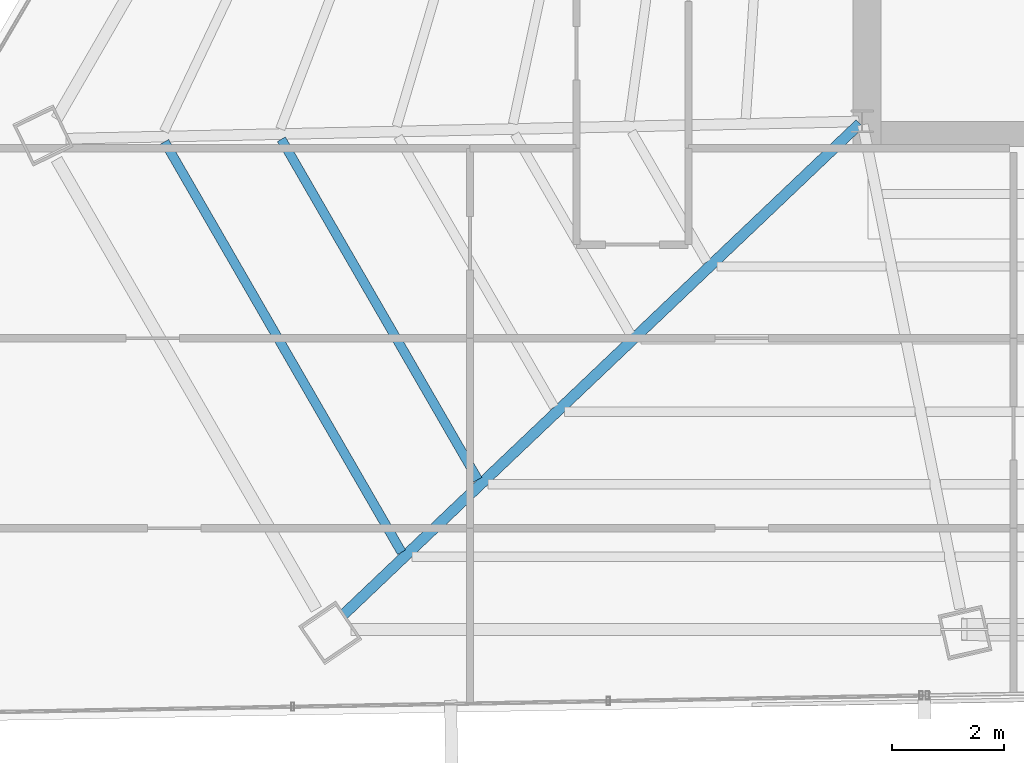
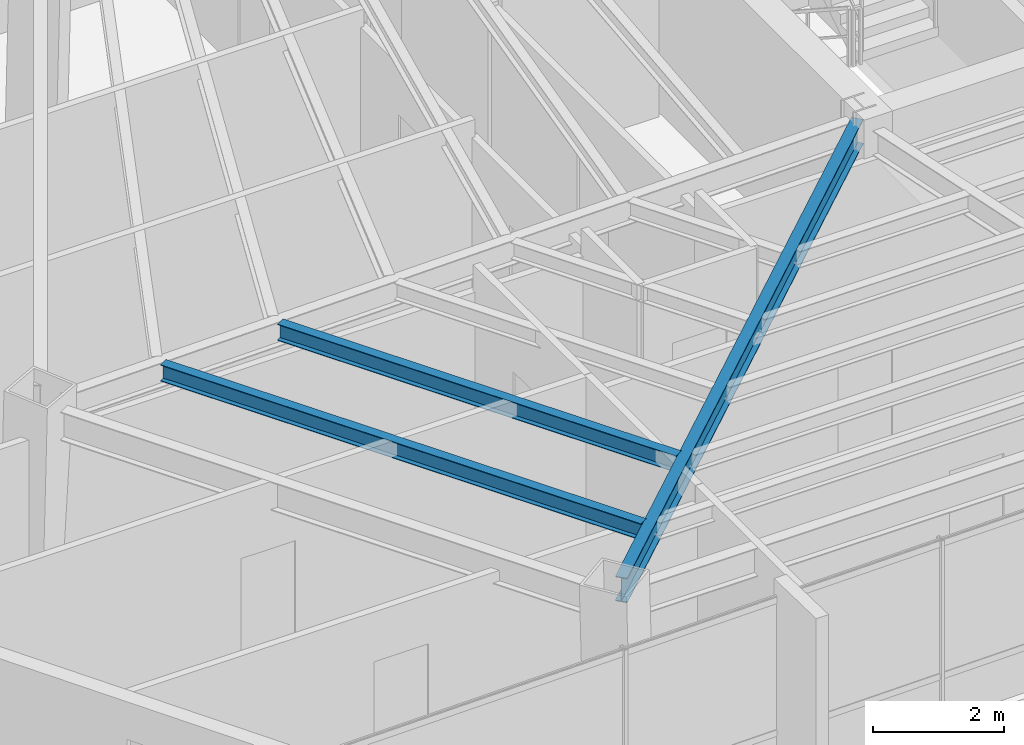
# One storey, part 6 of 42: 3 beams.
"""IFC4 building model written with IfcOpenShell, lengths in metres."""

import ifcopenshell
import ifcopenshell.guid

model = None  # the IFC model being written
_history = None  # IfcOwnerHistory: only IFC2X3 demands one
_inside = {}  # id of a spatial element -> (the spatial element, [elements in it])
_under = {}  # id of a project, library or spatial element -> (it, [spatial elements below it])
_declared = {}  # id of a project -> (the project, [libraries it declares])
_typed = {}  # id of a type object -> (the type object, [elements of that type])
_made_of = {}  # id of a material, layer set ... -> (it, [elements and type objects made of it])


def new_model(schema):
    """Start an empty IFC model of exactly this schema.

    Asked for "IFC4X3", IfcOpenShell would pick the latest addendum, in which some entities
    have other attributes; the version numbers below select the first issue.
    IFC2X3 requires an IfcOwnerHistory on every rooted entity: one is made here for all.
    """
    global model, _history
    if schema == "IFC4X3":
        model = ifcopenshell.file(schema_version=(4, 3, 0, 0))
    else:
        model = ifcopenshell.file(schema=schema)
    _inside.clear()
    _under.clear()
    _declared.clear()
    _typed.clear()
    _made_of.clear()
    _history = None
    if model.schema == "IFC2X3":
        org = make("IfcOrganization", Name="unknown")
        user = make(
            "IfcPersonAndOrganization",
            ThePerson=make("IfcPerson", FamilyName="unknown"),
            TheOrganization=org,
        )
        app = make(
            "IfcApplication",
            ApplicationDeveloper=org,
            Version="unknown",
            ApplicationFullName="unknown",
            ApplicationIdentifier="unknown",
        )
        _history = make(
            "IfcOwnerHistory",
            OwningUser=user,
            OwningApplication=app,
            ChangeAction="ADDED",
            CreationDate=0,
        )
    return model


def make(cls, **values):
    """One entity of the class cls with the attributes given. An attribute that is None is left unset."""
    return model.create_entity(
        cls, **{name: value for name, value in values.items() if value is not None}
    )


def rooted(cls, **values):
    """An entity with a GlobalId (a new one), such as an element, a storey or a relation."""
    return make(cls, GlobalId=ifcopenshell.guid.new(), OwnerHistory=_history, **values)


def si_unit(unit_type, name, prefix=None):
    """IfcSIUnit, for example si_unit("LENGTHUNIT", "METRE", prefix="MILLI")."""
    return make("IfcSIUnit", UnitType=unit_type, Prefix=prefix, Name=name)


def assignment(units):
    """IfcUnitAssignment: the units of a project."""
    return None if units is None else make("IfcUnitAssignment", Units=units)


def point(xyz):
    """IfcCartesianPoint."""
    return None if xyz is None else make("IfcCartesianPoint", Coordinates=xyz)


def direction(xyz):
    """IfcDirection."""
    return None if xyz is None else make("IfcDirection", DirectionRatios=xyz)


def frame(location, z_axis=None, x_axis=None):
    """IfcAxis2Placement3D, a coordinate frame: its origin and axes. An axis left out is left unset."""
    return make(
        "IfcAxis2Placement3D",
        Location=point(location),
        Axis=direction(z_axis),
        RefDirection=direction(x_axis),
    )


def frame_2d(location, x_axis=None):
    """IfcAxis2Placement2D, a coordinate frame in the plane: its origin and x axis."""
    return make(
        "IfcAxis2Placement2D", Location=point(location), RefDirection=direction(x_axis)
    )


def origin():
    """The frame at (0, 0, 0) with its axes left unset."""
    return frame((0.0, 0.0, 0.0))


def origin_2d():
    """The frame at (0, 0) in the plane with its x axis left unset."""
    return frame_2d((0.0, 0.0))


def place(relative_to, where):
    """IfcLocalPlacement: puts the frame where relative to a parent placement (None: the world)."""
    return make(
        "IfcLocalPlacement", PlacementRelTo=relative_to, RelativePlacement=where
    )


def context(
    kind, dimensions, precision=None, world=None, true_north=None, identifier=None
):
    """IfcGeometricRepresentationContext, for example the 3D "Model" context."""
    return make(
        "IfcGeometricRepresentationContext",
        ContextIdentifier=identifier,
        ContextType=kind,
        CoordinateSpaceDimension=dimensions,
        Precision=precision,
        WorldCoordinateSystem=world,
        TrueNorth=true_north,
    )


def subcontext(parent, identifier, kind, view, scale=None):
    """IfcGeometricRepresentationSubContext, for example "Body" below "Model"."""
    return make(
        "IfcGeometricRepresentationSubContext",
        ContextIdentifier=identifier,
        ContextType=kind,
        ParentContext=parent,
        TargetScale=scale,
        TargetView=view,
    )


def project(units=None, contexts=None):
    """IfcProject with its units and contexts."""
    return rooted(
        "IfcProject",
        Name="project",
        RepresentationContexts=contexts,
        UnitsInContext=assignment(units),
    )


def spatial(cls, under=None, at=None, **own):
    """A site, building, storey or space (cls), placed at a placement, below another one or the project."""
    s = rooted(cls, ObjectPlacement=at, **own)
    if under is not None:
        _under.setdefault(under.id(), (under, []))[1].append(s)
    return s


def profile(cls, at=None, kind="AREA", **sizes):
    """A parametric profile (cls). Its sizes go by their IFC names, for example OverallWidth=200.0."""
    return make(cls, ProfileType=kind, Position=at, **sizes)


def i_section(**sizes):
    """IfcIShapeProfileDef."""
    return profile("IfcIShapeProfileDef", **sizes)


def extrude(swept, where, along, depth):
    """IfcExtrudedAreaSolid: the profile swept, set in the frame where, extruded along a direction by depth."""
    return make(
        "IfcExtrudedAreaSolid",
        SweptArea=swept,
        Position=where,
        ExtrudedDirection=direction(along),
        Depth=depth,
    )


def shape(context_of_items, identifier, shape_type, items):
    """IfcShapeRepresentation: the items that make up one representation, for example the "Body"."""
    return make(
        "IfcShapeRepresentation",
        ContextOfItems=context_of_items,
        RepresentationIdentifier=identifier,
        RepresentationType=shape_type,
        Items=items,
    )


def source(mapping_origin, context_of_items, identifier, shape_type, items):
    """IfcRepresentationMap: a shape defined once, which mapped items show again and again."""
    return make(
        "IfcRepresentationMap",
        MappingOrigin=mapping_origin,
        MappedRepresentation=shape(context_of_items, identifier, shape_type, items),
    )


def transform(
    local_origin,
    x_axis=None,
    y_axis=None,
    z_axis=None,
    scale=None,
    scale2=None,
    scale3=None,
    uniform=True,
):
    """IfcCartesianTransformationOperator3D, or its non-uniform kind. x_axis, y_axis, z_axis: its Axis1, 2, 3."""
    if uniform:
        return make(
            "IfcCartesianTransformationOperator3D",
            Axis1=direction(x_axis),
            Axis2=direction(y_axis),
            LocalOrigin=point(local_origin),
            Scale=scale,
            Axis3=direction(z_axis),
        )
    return make(
        "IfcCartesianTransformationOperator3DnonUniform",
        Axis1=direction(x_axis),
        Axis2=direction(y_axis),
        LocalOrigin=point(local_origin),
        Scale=scale,
        Axis3=direction(z_axis),
        Scale2=scale2,
        Scale3=scale3,
    )


def mapped(mapping_source, mapping_target):
    """IfcMappedItem: shows the shape of a source again, moved by a transform."""
    return make(
        "IfcMappedItem", MappingSource=mapping_source, MappingTarget=mapping_target
    )


def material(Name=None, Category=None):
    """IfcMaterial."""
    return make("IfcMaterial", Name=Name, Category=Category)


def material_profile(
    of_material, cross_section, Name=None, Category=None, Priority=None
):
    """IfcMaterialProfile: a cross section and its material."""
    return make(
        "IfcMaterialProfile",
        Name=Name,
        Material=of_material,
        Profile=cross_section,
        Priority=Priority,
        Category=Category,
    )


def profile_set(profiles, Name=None, composite=None):
    """IfcMaterialProfileSet."""
    return make(
        "IfcMaterialProfileSet",
        Name=Name,
        MaterialProfiles=profiles,
        CompositeProfile=composite,
    )


def made_of(thing, what):
    """Note that an element or type object is made of a material, layer set ...; save() writes the relation."""
    if what is not None:
        _made_of.setdefault(what.id(), (what, []))[1].append(thing)
    return thing


def type_object(cls, material=None, **own):
    """A type object (cls), such as IfcWallType, which elements share."""
    return made_of(rooted(cls, **own), material)


def type_shapes(of_type, sources):
    """Give a type object the sources (RepresentationMaps) that its elements show as mapped items."""
    of_type.RepresentationMaps = sources


def element(
    cls,
    number,
    at=None,
    inside=None,
    cuts=None,
    type_object=None,
    material=None,
    context=None,
    identifier="Body",
    shape_type=None,
    held_by="IfcProductDefinitionShape",
    body=None,
    shapes=None,
    **own,
):
    """One element of the class cls, such as IfcWall. Its Tag is "e" and its number.

    at: its placement. inside: the storey or other place that contains it. cuts: it is an
    opening in that element (IfcRelVoidsElement). A single representation is given by context,
    identifier, shape_type and body (its items); several are given by shapes. held_by: the class
    of the entity that holds the representations. save() writes the other relations.
    """
    e = rooted(cls, Tag="e%d" % number, ObjectPlacement=at, **own)
    if body is not None:
        shapes = [shape(context, identifier, shape_type, body)]
    if shapes is not None:
        e.Representation = make(held_by, Representations=shapes)
    if inside is not None:
        _inside.setdefault(inside.id(), (inside, []))[1].append(e)
    if cuts is not None:
        rooted(
            "IfcRelVoidsElement", RelatingBuildingElement=cuts, RelatedOpeningElement=e
        )
    if type_object is not None:
        _typed.setdefault(type_object.id(), (type_object, []))[1].append(e)
    return made_of(e, material)


def aggregate(whole, parts):
    """IfcRelAggregates: a whole, such as a stair, and the parts it consists of."""
    return rooted("IfcRelAggregates", RelatingObject=whole, RelatedObjects=parts)


def save(model, path):
    """Write the relations noted so far, then the file.

    IfcRelAggregates (storeys below a building ...), IfcRelContainedInSpatialStructure (elements
    in a storey), IfcRelDefinesByType, IfcRelAssociatesMaterial and IfcRelDeclares: one each for
    every whole, place, type object, material and project.
    """
    for whole, parts in _under.values():
        aggregate(whole, parts)
    for where, things in _inside.values():
        rooted(
            "IfcRelContainedInSpatialStructure",
            RelatedElements=things,
            RelatingStructure=where,
        )
    for kind, things in _typed.values():
        rooted("IfcRelDefinesByType", RelatedObjects=things, RelatingType=kind)
    for what, things in _made_of.values():
        rooted("IfcRelAssociatesMaterial", RelatedObjects=things, RelatingMaterial=what)
    for by, libraries in _declared.values():
        rooted("IfcRelDeclares", RelatingContext=by, RelatedDefinitions=libraries)
    model.write(path)


model = new_model("IFC4")

# Units and contexts
model_context = context("Model", 3, precision=1e-05, world=origin(), true_north=direction((0.0, 1.0)))
body_context = subcontext(model_context, "Body", "Model", "MODEL_VIEW")
ifc_project = project(units=[si_unit("LENGTHUNIT", "METRE"), si_unit("AREAUNIT", "SQUARE_METRE"), si_unit("VOLUMEUNIT", "CUBIC_METRE"), si_unit("PLANEANGLEUNIT", "RADIAN"), si_unit("MASSUNIT", "GRAM", prefix="KILO")], contexts=[model_context])

# Site, building, storey
site_placement = place(None, origin())
site = spatial("IfcSite", under=ifc_project, at=site_placement, CompositionType="ELEMENT")
building_placement = place(site_placement, origin())
building = spatial("IfcBuilding", under=site, at=building_placement, Name="Caelisora Broadcast Tower", CompositionType="ELEMENT")
storey_placement = place(building_placement, frame((0.0, 0.0, 202.300048828125)))
storey = spatial("IfcBuildingStorey", under=building, at=storey_placement, Name="L53", CompositionType="ELEMENT", Elevation=202.300048828125)

# Beams
ifc_material = material(Name="Steel Grade 350 (AS/NZS 3679.1)", Category="steel")
ifc_material_profile_1 = material_profile(ifc_material, i_section(OverallWidth=0.19091796875, OverallDepth=0.46044921875, WebThickness=0.010009765625, FlangeThickness=0.01611328125, at=origin_2d()), Name="Steel Grade 350 (AS/NZS 3679.1)")
ifc_profile_set_1 = profile_set([ifc_material_profile_1], Name="Steel Grade 350 (AS/NZS 3679.1)")
beam_type_1 = type_object("IfcBeamType", Name="PG06", PredefinedType="BEAM", material=ifc_profile_set_1)
shared_shape_1 = source(origin(), body_context, "Body", "SweptSolid", [
    extrude(i_section(OverallWidth=0.19091796875, OverallDepth=0.46044921875, WebThickness=0.010009765625, FlangeThickness=0.01611328125, at=origin_2d()), origin(), (0.0, 0.0, 1.0), 12.7216796875),
])
type_shapes(beam_type_1, [shared_shape_1])
beam_1_placement = place(storey_placement, frame((30.45654296875, 17.358642578125, 3.169677734375), z_axis=(-0.724635660467, -0.689132178598, 0.0), x_axis=(0.689132178598, -0.724635660467, 0.0)))
element("IfcBeam", 1, at=beam_1_placement, inside=storey, type_object=beam_type_1, Name="L53 beam PG06", PredefinedType="BEAM", context=body_context, shape_type="MappedRepresentation", body=[
    mapped(shared_shape_1, transform((0.0, 0.0, 0.0), scale=1.0)),
])
ifc_material_profile_2 = material_profile(ifc_material, i_section(OverallWidth=0.166015625, OverallDepth=0.30712890625, WebThickness=0.006591796875, FlangeThickness=0.01171875, at=origin_2d()), Name="Steel Grade 350 (AS/NZS 3679.1)")
ifc_profile_set_2 = profile_set([ifc_material_profile_2], Name="Steel Grade 350 (AS/NZS 3679.1)")
beam_type_2 = type_object("IfcBeamType", Name="SB03", PredefinedType="JOIST", material=ifc_profile_set_2)
shared_shape_2 = source(origin(), body_context, "Body", "SweptSolid", [
    extrude(i_section(OverallWidth=0.166015625, OverallDepth=0.30712890625, WebThickness=0.006591796875, FlangeThickness=0.01171875, at=origin_2d()), origin(), (0.0, 0.0, 1.0), 7.014892578125),
])
beam_2_placement = place(storey_placement, frame((20.134765625, 17.080810546875, 3.246337890625), z_axis=(0.49997953314, -0.866037220009, 0.0), x_axis=(0.866037220009, 0.49997953314, 0.0)))
element("IfcBeam", 2, at=beam_2_placement, inside=storey, type_object=beam_type_2, Name="L53 beam SB03", PredefinedType="JOIST", context=body_context, shape_type="MappedRepresentation", body=[
    mapped(shared_shape_2, transform((0.0, 0.0, 0.0), scale=1.0)),
])
shared_shape_3 = source(origin(), body_context, "Body", "SweptSolid", [
    extrude(i_section(OverallWidth=0.166015625, OverallDepth=0.30712890625, WebThickness=0.006591796875, FlangeThickness=0.01171875, at=origin_2d()), origin(), (0.0, 0.0, 1.0), 8.4580078125),
])
type_shapes(beam_type_2, [shared_shape_2, shared_shape_3])
beam_3_placement = place(storey_placement, frame((18.051025390625, 17.035400390625, 3.246337890625), z_axis=(0.499994801602, -0.86602840506, 0.0), x_axis=(0.86602840506, 0.499994801602, 0.0)))
element("IfcBeam", 3, at=beam_3_placement, inside=storey, type_object=beam_type_2, Name="L53 beam SB03", PredefinedType="JOIST", context=body_context, shape_type="MappedRepresentation", body=[
    mapped(shared_shape_3, transform((0.0, 0.0, 0.0), scale=1.0)),
])

save(model, "model.ifc")
